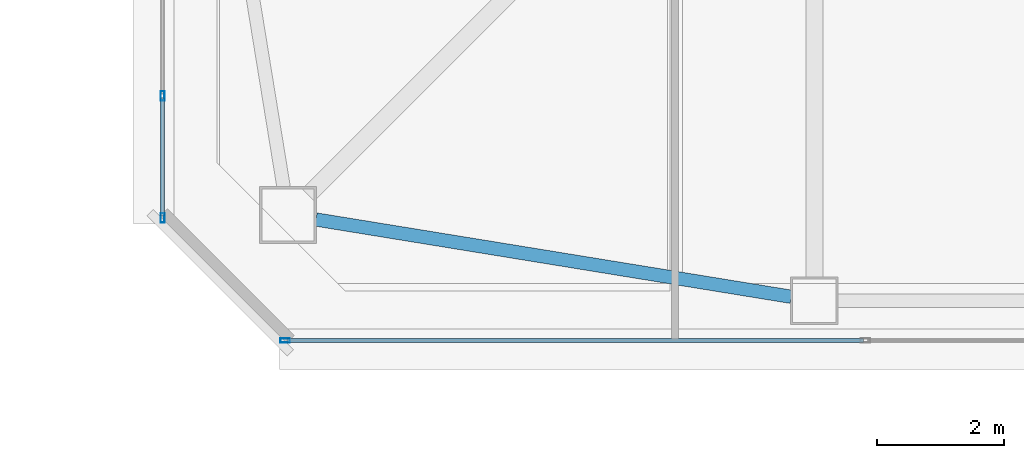
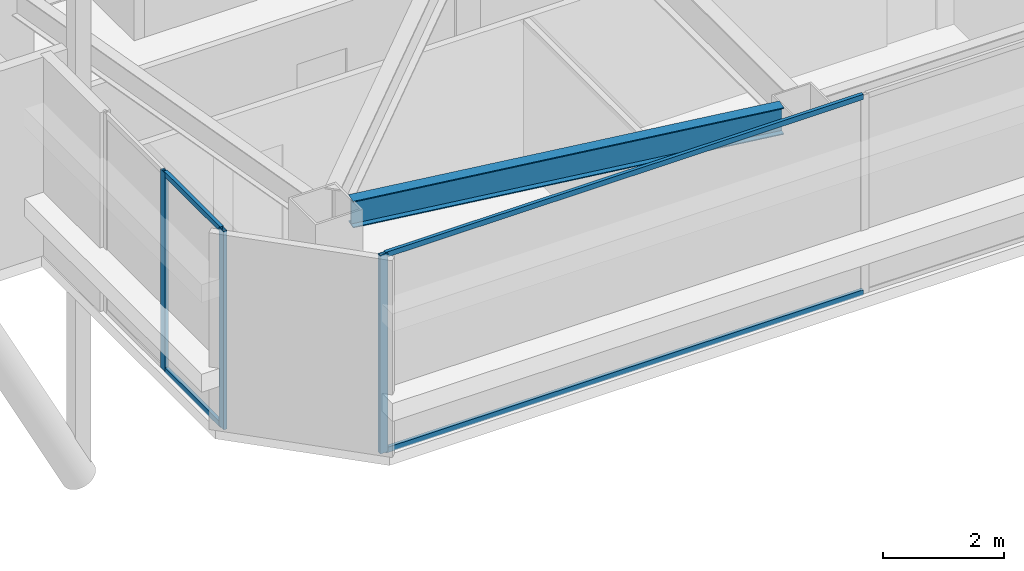
# One storey, part 4 of 53: 7 members, 1 beam, 2 elements without a shape of their own.
"""IFC4 building model written with IfcOpenShell, lengths in metres."""

from ifc_helpers import new_model, si_unit, direction, frame, origin, origin_2d, place, context, subcontext, project, spatial, hollow_rectangle, i_section, extrude, material, material_profile, profile_set, type_object, element, aggregate, save


model = new_model("IFC4")

# Units and contexts
model_context = context("Model", 3, precision=1e-05, world=origin(), true_north=direction((0.0, 1.0)))
body_context = subcontext(model_context, "Body", "Model", "MODEL_VIEW")
ifc_project = project(units=[si_unit("LENGTHUNIT", "METRE"), si_unit("AREAUNIT", "SQUARE_METRE"), si_unit("VOLUMEUNIT", "CUBIC_METRE"), si_unit("PLANEANGLEUNIT", "RADIAN"), si_unit("MASSUNIT", "GRAM", prefix="KILO")], contexts=[model_context])

# Site, building, storey
site_placement = place(None, origin())
site = spatial("IfcSite", under=ifc_project, at=site_placement, CompositionType="ELEMENT")
building_placement = place(site_placement, origin())
building = spatial("IfcBuilding", under=site, at=building_placement, Name="Tashvorn Skyway Center", CompositionType="ELEMENT")
storey_placement = place(building_placement, frame((0.0, 0.0, 255.39990234375)))
storey = spatial("IfcBuildingStorey", under=building, at=storey_placement, Name="L69", CompositionType="ELEMENT", Elevation=255.39990234375)

# Beam
ifc_material_1 = material(Name="Steel ASTM A992 Grade 50", Category="steel")
ifc_material_profile_1 = material_profile(ifc_material_1, i_section(OverallWidth=0.2109375, OverallDepth=0.5390625, WebThickness=0.01171875, FlangeThickness=0.018798828125, at=origin_2d()), Name="W21X73")
ifc_profile_set_1 = profile_set([ifc_material_profile_1], Name="Steel ASTM A992 Grade 50")
beam_type = type_object("IfcBeamType", Name="BM-SPANDREL-W21X73", PredefinedType="SPANDREL", material=ifc_profile_set_1)
beam_placement = place(storey_placement, frame((28.7392578125, 18.228515625, 3.510498046875), z_axis=(0.987032749583, -0.160519005885, 0.0), x_axis=(0.160519005885, 0.987032749583, 0.0)))
element("IfcBeam", 1, at=beam_placement, inside=storey, type_object=beam_type, Name="Tower 1 L69 Spandrel Beam 01", PredefinedType="SPANDREL", context=body_context, shape_type="SweptSolid", body=[
    extrude(i_section(OverallWidth=0.2109375, OverallDepth=0.5390625, WebThickness=0.01171875, FlangeThickness=0.018798828125, at=origin_2d()), origin(), (0.0, 0.0, 1.0), 7.593994140625),
])

# Curtain wall, member
ifc_material_2 = material(Name="Thermally broken bronze-anodized aluminium 6063-T6", Category="aluminium")
curtain_wall_type = type_object("IfcCurtainWallType", Name="CW-CW-SKY", PredefinedType="NOTDEFINED", material=ifc_material_2)
curtain_wall_1_placement = place(storey_placement, origin())
curtain_wall_1 = element("IfcCurtainWall", 2, at=curtain_wall_1_placement, inside=storey, type_object=curtain_wall_type, Name="Tower 1 L69 South Unitised Curtain Wall", PredefinedType="NOTDEFINED")
ifc_material_profile_2 = material_profile(ifc_material_2, hollow_rectangle(XDim=0.06494140625, YDim=0.14990234375, WallThickness=0.00390625, at=origin_2d()), Name="ALU-MULL-65x150")
ifc_profile_set_2 = profile_set([ifc_material_profile_2], Name="Thermally broken bronze-anodized aluminium 6063-T6")
member_type_1 = type_object("IfcMemberType", Name="CWM-CW-SKY", PredefinedType="MULLION", material=ifc_profile_set_2)
member_1_placement = place(storey_placement, frame((28.25244140625, 16.320068359375, 0.0), z_axis=(0.0, 0.0, 1.0), x_axis=(0.0, -1.0, 0.0)))
member_1 = element("IfcMember", 3, at=member_1_placement, type_object=member_type_1, Name="CW-SKY mullion 4", PredefinedType="MULLION", context=body_context, shape_type="SweptSolid", body=[
    extrude(hollow_rectangle(XDim=0.06494140625, YDim=0.14990234375, WallThickness=0.00390625, at=origin_2d()), origin(), (0.0, 0.0, 1.0), 4.0),
])

# Curtain wall, members
curtain_wall_2_placement = place(storey_placement, origin())
curtain_wall_2 = element("IfcCurtainWall", 4, at=curtain_wall_2_placement, inside=storey, type_object=curtain_wall_type, Name="Tower 1 L69 West Curtain Wall A Glazing Group 1", PredefinedType="NOTDEFINED")
member_2_placement = place(storey_placement, frame((26.320068359375, 18.25244140625, 0.0), z_axis=(0.0, 0.0, 1.0), x_axis=(-1.0, 0.0, 0.0)))
member_2 = element("IfcMember", 5, at=member_2_placement, type_object=member_type_1, Name="CW-SKY mullion 1", PredefinedType="MULLION", context=body_context, shape_type="SweptSolid", body=[
    extrude(hollow_rectangle(XDim=0.06494140625, YDim=0.14990234375, WallThickness=0.00390625, at=origin_2d()), origin(), (0.0, 0.0, 1.0), 4.0),
])
member_3_placement = place(storey_placement, frame((26.320068359375, 20.179931640625, 0.0), z_axis=(0.0, 0.0, 1.0), x_axis=(-1.0, 0.0, 0.0)))
member_3 = element("IfcMember", 6, at=member_3_placement, type_object=member_type_1, Name="CW-SKY mullion 2", PredefinedType="MULLION", context=body_context, shape_type="SweptSolid", body=[
    extrude(hollow_rectangle(XDim=0.06494140625, YDim=0.14990234375, WallThickness=0.00390625, at=origin_2d()), origin(), (0.0, 0.0, 1.0), 4.0),
])

# Member
ifc_material_profile_3 = material_profile(ifc_material_2, hollow_rectangle(XDim=0.06494140625, YDim=0.10498046875, WallThickness=0.00390625, at=origin_2d()), Name="ALU-TRAN-65x105")
ifc_profile_set_3 = profile_set([ifc_material_profile_3], Name="Thermally broken bronze-anodized aluminium 6063-T6")
member_type_2 = type_object("IfcMemberType", Name="CWT-CW-SKY", PredefinedType="USERDEFINED", material=ifc_profile_set_3)
member_4_placement = place(storey_placement, frame((37.374267578125, 16.320068359375, 0.03271484375), z_axis=(-1.0, 0.0, 0.0), x_axis=(0.0, -1.0, 0.0)))
member_4 = element("IfcMember", 7, at=member_4_placement, type_object=member_type_2, Name="CW-SKY transom 3.1", ObjectType="TRANSOM", PredefinedType="USERDEFINED", context=body_context, shape_type="SweptSolid", body=[
    extrude(hollow_rectangle(XDim=0.06494140625, YDim=0.10498046875, WallThickness=0.00390625, at=origin_2d()), origin(), (0.0, 0.0, 1.0), 9.08935546875),
])

member_5_placement = place(storey_placement, frame((37.374267578125, 16.320068359375, 3.967529296875), z_axis=(-1.0, 0.0, 0.0), x_axis=(0.0, -1.0, 0.0)))
member_5 = element("IfcMember", 8, at=member_5_placement, type_object=member_type_2, Name="CW-SKY transom 3.2", ObjectType="TRANSOM", PredefinedType="USERDEFINED", context=body_context, shape_type="SweptSolid", body=[
    extrude(hollow_rectangle(XDim=0.06494140625, YDim=0.10498046875, WallThickness=0.00390625, at=origin_2d()), origin(), (0.0, 0.0, 1.0), 9.08935546875),
])

aggregate(curtain_wall_1, [member_1, member_4, member_5])

member_6_placement = place(storey_placement, frame((26.320068359375, 18.284912109375, 0.03271484375), z_axis=(0.0, 1.0, 0.0), x_axis=(-1.0, 0.0, 0.0)))
member_6 = element("IfcMember", 9, at=member_6_placement, type_object=member_type_2, Name="CW-SKY transom 1.1", ObjectType="TRANSOM", PredefinedType="USERDEFINED", context=body_context, shape_type="SweptSolid", body=[
    extrude(hollow_rectangle(XDim=0.06494140625, YDim=0.10498046875, WallThickness=0.00390625, at=origin_2d()), origin(), (0.0, 0.0, 1.0), 1.862548828125),
])

member_7_placement = place(storey_placement, frame((26.320068359375, 18.284912109375, 3.967529296875), z_axis=(0.0, 1.0, 0.0), x_axis=(-1.0, 0.0, 0.0)))
member_7 = element("IfcMember", 10, at=member_7_placement, type_object=member_type_2, Name="CW-SKY transom 1.2", ObjectType="TRANSOM", PredefinedType="USERDEFINED", context=body_context, shape_type="SweptSolid", body=[
    extrude(hollow_rectangle(XDim=0.06494140625, YDim=0.10498046875, WallThickness=0.00390625, at=origin_2d()), origin(), (0.0, 0.0, 1.0), 1.862548828125),
])

aggregate(curtain_wall_2, [member_2, member_3, member_6, member_7])

save(model, "model.ifc")
